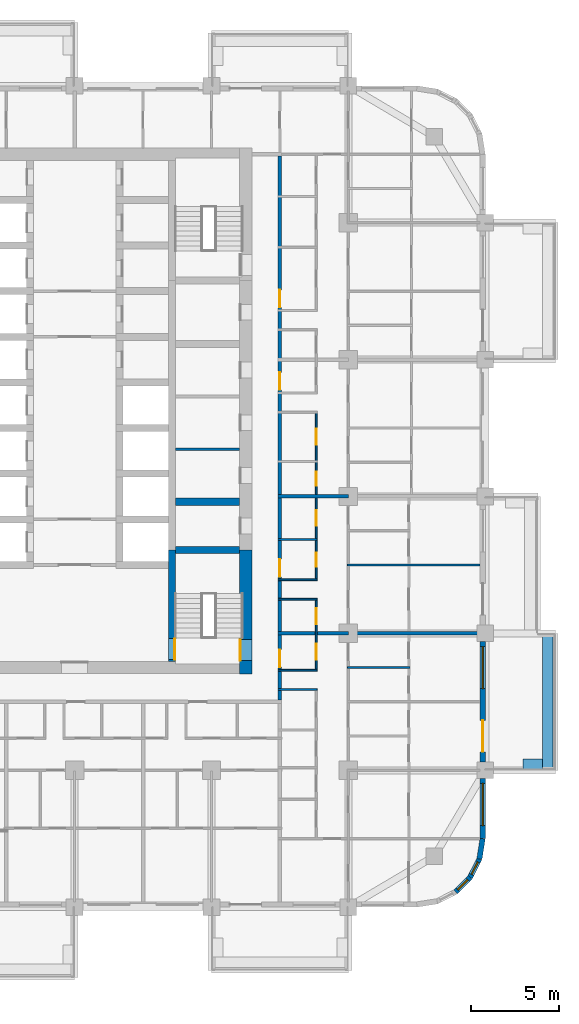
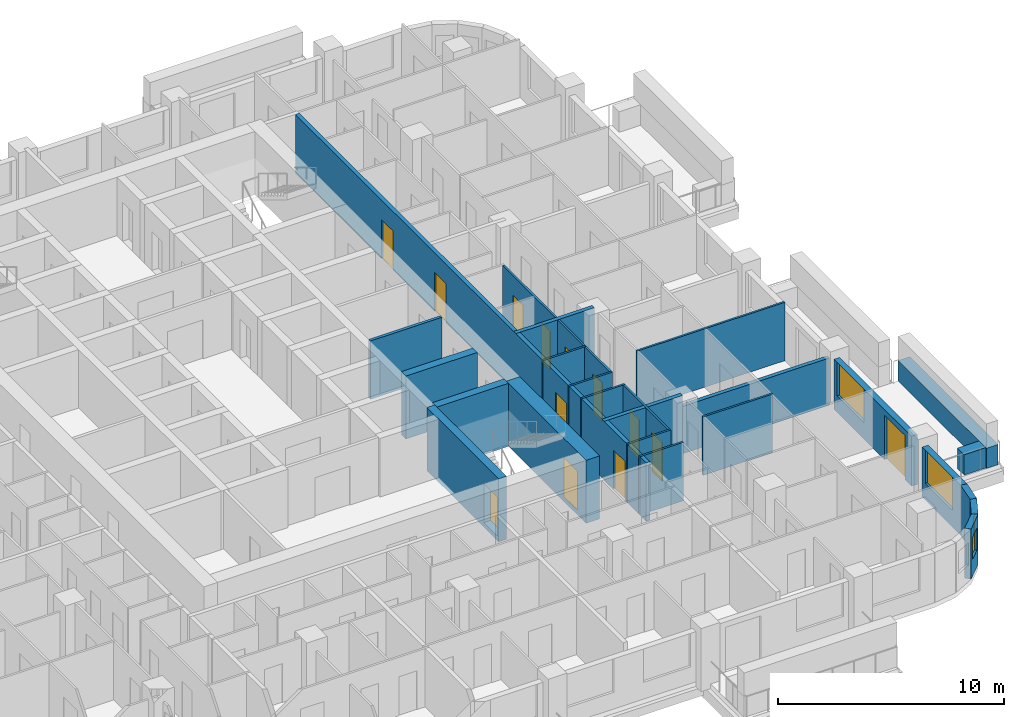
# One storey, part 8 of 18: 25 walls, 13 doors, 4 windows, 17 openings.
"""IFC4 building model written with IfcOpenShell, lengths in metres."""

from ifc_helpers import new_model, si_unit, direction, frame, frame_2d, origin, place, context, subcontext, project, spatial, rectangle, extrude, material, layer, layer_set, type_object, element, fill, save


model = new_model("IFC4")

# Units and contexts
model_context = context("Model", 3, precision=1e-05, world=origin(), true_north=direction((0.0, 1.0)))
body_context = subcontext(model_context, "Body", "Model", "MODEL_VIEW")
ifc_project = project(units=[si_unit("LENGTHUNIT", "METRE"), si_unit("AREAUNIT", "SQUARE_METRE"), si_unit("VOLUMEUNIT", "CUBIC_METRE"), si_unit("PLANEANGLEUNIT", "RADIAN"), si_unit("MASSUNIT", "GRAM", prefix="KILO")], contexts=[model_context])

# Site, building, storey
site_placement = place(None, origin())
site = spatial("IfcSite", under=ifc_project, at=site_placement, CompositionType="ELEMENT")
building_placement = place(site_placement, origin())
building = spatial("IfcBuilding", under=site, at=building_placement, Name="Ludao Terraces", CompositionType="ELEMENT")
storey_placement = place(building_placement, frame((0.0, 0.0, 61.39990234375)))
storey = spatial("IfcBuildingStorey", under=building, at=storey_placement, Name="L16", CompositionType="ELEMENT", Elevation=61.39990234375)

# Wall, opening, door
ifc_material_1 = material(Name="Concrete C70", Category="concrete")
ifc_layer_1 = layer(ifc_material_1, 0.699951171875)
ifc_layer_set_1 = layer_set([ifc_layer_1], Name="Core wall 700 C70")
wall_type_1 = type_object("IfcWallType", Name="Core wall 700 C70", PredefinedType="SOLIDWALL", material=ifc_layer_set_1)
wall_1_placement = place(storey_placement, frame((94.75, 54.89990234375, -0.25), z_axis=(0.0, 0.0, 1.0), x_axis=(0.0, 1.0, 0.0)))
wall_1 = element("IfcWall", 1, at=wall_1_placement, inside=storey, type_object=wall_type_1, Name="Core wall L16 outer-E-S3", PredefinedType="SOLIDWALL", context=body_context, shape_type="SweptSolid", body=[
    extrude(rectangle(XDim=7.050048828125, YDim=0.699951171875, at=frame_2d((3.52490234375, 0.0))), origin(), (0.0, 0.0, 1.0), 3.400146484375),
])
opening_1_placement = place(wall_1_placement, frame((0.75, 0.0, 0.25)))
opening_1 = element("IfcOpeningElement", 2, at=opening_1_placement, cuts=wall_1, Name="Opening R05-062", PredefinedType="OPENING", context=body_context, shape_type="SweptSolid", body=[
    extrude(rectangle(XDim=1.199951171875, YDim=2.10009765625, at=frame_2d((0.60009765625, 1.050048828125))), frame((0.0, 0.35986328125, 0.0), z_axis=(0.0, -1.0, 0.0), x_axis=(1.0, 0.0, 0.0)), (0.0, 0.0, 1.0), 0.719970703125),
])
ifc_material_2 = material(Name="Steel Q235", Category="steel")
door_type_1 = type_object("IfcDoorType", Name="INT Stair door 1200", OperationType="DOUBLE_DOOR_SINGLE_SWING", PredefinedType="DOOR", material=ifc_material_2)
door_1_placement = place(opening_1_placement, origin())
door_1 = element("IfcDoor", 3, at=door_1_placement, inside=storey, type_object=door_type_1, Name="DOOR 062", OperationType="DOUBLE_DOOR_SINGLE_SWING", OverallHeight=2.10009765625, OverallWidth=1.199951171875, PredefinedType="DOOR", context=body_context, shape_type="SweptSolid", body=[
    extrude(rectangle(XDim=1.199951171875, YDim=2.10009765625, at=frame_2d((0.60009765625, 1.050048828125))), frame((0.0, 0.3349609375, 0.0), z_axis=(0.0, -1.0, 0.0), x_axis=(1.0, 0.0, 0.0)), (0.0, 0.0, 1.0), 0.050048828125),
])
fill(opening_1, door_1)

# Walls
ifc_material_3 = material(Name="Concrete C40", Category="concrete")
ifc_layer_2 = layer(ifc_material_3, 0.60009765625)
ifc_layer_set_2 = layer_set([ifc_layer_2], Name="ENV Planter trough 600")
wall_type_2 = type_object("IfcWallType", Name="ENV Planter trough 600", PredefinedType="USERDEFINED", material=ifc_layer_set_2)
wall_2_placement = place(storey_placement, frame((111.949951171875, 49.39990234375, 0.0), z_axis=(0.0, 0.0, 1.0), x_axis=(0.0, 1.0, 0.0)))
element("IfcWall", 4, at=wall_2_placement, inside=storey, type_object=wall_type_2, Name="PL-L16-E1", ObjectType="PLANTER", PredefinedType="USERDEFINED", context=body_context, shape_type="SweptSolid", body=[
    extrude(rectangle(XDim=7.800048828125, YDim=0.60009765625, at=frame_2d((3.89990234375, 0.0))), origin(), (0.0, 0.0, 1.0), 1.10009765625),
])
wall_3_placement = place(storey_placement, frame((111.64990234375, 49.75, 0.0), z_axis=(0.0, 0.0, 1.0), x_axis=(-1.0, 0.0, 0.0)))
element("IfcWall", 5, at=wall_3_placement, inside=storey, type_object=wall_type_2, Name="PL-L16-E1-SA", ObjectType="PLANTER", PredefinedType="USERDEFINED", context=body_context, shape_type="SweptSolid", body=[
    extrude(rectangle(XDim=1.099853515625, YDim=0.60009765625, at=frame_2d((0.5498046875, 0.0))), origin(), (0.0, 0.0, 1.0), 1.10009765625),
])

# Wall, opening, window
ifc_material_4 = material(Name="Granite cladding", Category="masonry")
ifc_layer_3 = layer(ifc_material_4, 0.0400390625, Category="stone")
ifc_material_5 = material(Name="Mineral wool")
ifc_layer_4 = layer(ifc_material_5, 0.06005859375)
ifc_layer_5 = layer(ifc_material_3, 0.199951171875, Category="concrete")
ifc_layer_set_3 = layer_set([ifc_layer_3, ifc_layer_4, ifc_layer_5], Name="ENV Stone-clad wall 300")
wall_type_3 = type_object("IfcWallType", Name="ENV Stone-clad wall 300", PredefinedType="SOLIDWALL", material=ifc_layer_set_3)
wall_4_placement = place(storey_placement, frame((108.25, 45.5, 0.0), z_axis=(0.0, 0.0, 1.0), x_axis=(0.0, 1.0, 0.0)))
wall_4 = element("IfcWall", 6, at=wall_4_placement, inside=storey, type_object=wall_type_3, Name="EW-L16-E1", PredefinedType="SOLIDWALL", context=body_context, shape_type="SweptSolid", body=[
    extrude(rectangle(XDim=3.425048828125, YDim=0.300048828125, at=frame_2d((1.71240234375, 0.0))), origin(), (0.0, 0.0, 1.0), 2.7001953125),
])
opening_2_placement = place(wall_4_placement, frame((0.75, 0.0, 0.89990234375)))
opening_2 = element("IfcOpeningElement", 7, at=opening_2_placement, cuts=wall_4, Name="Opening W1", PredefinedType="OPENING", context=body_context, shape_type="SweptSolid", body=[
    extrude(rectangle(XDim=2.39990234375, YDim=1.800048828125, at=frame_2d((1.199951171875, 0.89990234375))), frame((0.0, 0.16015625, 0.0), z_axis=(0.0, -1.0, 0.0), x_axis=(1.0, 0.0, 0.0)), (0.0, 0.0, 1.0), 0.320068359375),
])
ifc_material_6 = material(Name="Clear glass in aluminium frame", Category="aluminium")
ifc_layer_6 = layer(ifc_material_6, 0.06005859375)
ifc_layer_set_4 = layer_set([ifc_layer_6], Name="ENV Window W1 2400x1800")
window_type_1 = type_object("IfcWindowType", Name="ENV Window W1 2400x1800", PartitioningType="DOUBLE_PANEL_VERTICAL", PredefinedType="WINDOW", material=ifc_layer_set_4)
window_1_placement = place(opening_2_placement, origin())
window_1 = element("IfcWindow", 8, at=window_1_placement, inside=storey, type_object=window_type_1, Name="W-L16-E1-1", OverallHeight=1.800048828125, OverallWidth=2.39990234375, PartitioningType="DOUBLE_PANEL_VERTICAL", PredefinedType="WINDOW", context=body_context, shape_type="SweptSolid", body=[
    extrude(rectangle(XDim=2.39990234375, YDim=1.800048828125, at=frame_2d((1.199951171875, 0.89990234375))), frame((0.0, 0.030029296875, 0.0), z_axis=(0.0, -1.0, 0.0), x_axis=(1.0, 0.0, 0.0)), (0.0, 0.0, 1.0), 0.06005859375),
])
fill(opening_2, window_1)

# Wall, openings, door, window
wall_5_placement = place(storey_placement, frame((108.25, 49.875, 0.0), z_axis=(0.0, 0.0, 1.0), x_axis=(0.0, 1.0, 0.0)))
wall_5 = element("IfcWall", 9, at=wall_5_placement, inside=storey, type_object=wall_type_3, Name="EW-L16-E2", PredefinedType="SOLIDWALL", context=body_context, shape_type="SweptSolid", body=[
    extrude(rectangle(XDim=6.85009765625, YDim=0.300048828125, at=frame_2d((3.425048828125, 0.0))), origin(), (0.0, 0.0, 1.0), 2.7001953125),
])
opening_3_placement = place(wall_5_placement, frame((0.574951171875, 0.0, 0.0)))
opening_3 = element("IfcOpeningElement", 10, at=opening_3_placement, cuts=wall_5, Name="Opening BD", PredefinedType="OPENING", context=body_context, shape_type="SweptSolid", body=[
    extrude(rectangle(XDim=1.800048828125, YDim=2.39990234375, at=frame_2d((0.89990234375, 1.199951171875))), frame((0.0, 0.16015625, 0.0), z_axis=(0.0, -1.0, 0.0), x_axis=(1.0, 0.0, 0.0)), (0.0, 0.0, 1.0), 0.320068359375),
])
opening_4_placement = place(wall_5_placement, frame((4.175048828125, 0.0, 0.89990234375)))
opening_4 = element("IfcOpeningElement", 11, at=opening_4_placement, cuts=wall_5, Name="Opening W1", PredefinedType="OPENING", context=body_context, shape_type="SweptSolid", body=[
    extrude(rectangle(XDim=2.39990234375, YDim=1.800048828125, at=frame_2d((1.199951171875, 0.89990234375))), frame((0.0, 0.16015625, 0.0), z_axis=(0.0, -1.0, 0.0), x_axis=(1.0, 0.0, 0.0)), (0.0, 0.0, 1.0), 0.320068359375),
])
ifc_material_7 = material(Name="Aluminium glazed door", Category="aluminium")
ifc_layer_7 = layer(ifc_material_7, 0.06005859375)
ifc_layer_set_5 = layer_set([ifc_layer_7], Name="ENV Balcony door BD 1800x2400")
door_type_2 = type_object("IfcDoorType", Name="ENV Balcony door BD 1800x2400", OperationType="DOUBLE_DOOR_SINGLE_SWING", PredefinedType="DOOR", material=ifc_layer_set_5)
door_2_placement = place(opening_3_placement, origin())
door_2 = element("IfcDoor", 12, at=door_2_placement, inside=storey, type_object=door_type_2, Name="BD-L16-E2-1", OperationType="DOUBLE_DOOR_SINGLE_SWING", OverallHeight=2.39990234375, OverallWidth=1.800048828125, PredefinedType="DOOR", context=body_context, shape_type="SweptSolid", body=[
    extrude(rectangle(XDim=1.800048828125, YDim=2.39990234375, at=frame_2d((0.89990234375, 1.199951171875))), frame((0.0, 0.02490234375, 0.0), z_axis=(0.0, -1.0, 0.0), x_axis=(1.0, 0.0, 0.0)), (0.0, 0.0, 1.0), 0.050048828125),
])
fill(opening_3, door_2)
window_2_placement = place(opening_4_placement, origin())
window_2 = element("IfcWindow", 13, at=window_2_placement, inside=storey, type_object=window_type_1, Name="W-L16-E2-2", OverallHeight=1.800048828125, OverallWidth=2.39990234375, PartitioningType="DOUBLE_PANEL_VERTICAL", PredefinedType="WINDOW", context=body_context, shape_type="SweptSolid", body=[
    extrude(rectangle(XDim=2.39990234375, YDim=1.800048828125, at=frame_2d((1.199951171875, 0.89990234375))), frame((0.0, 0.030029296875, 0.0), z_axis=(0.0, -1.0, 0.0), x_axis=(1.0, 0.0, 0.0)), (0.0, 0.0, 1.0), 0.06005859375),
])
fill(opening_4, window_2)

# Wall, opening, window
wall_6_placement = place(storey_placement, frame((106.7041015625, 42.46630859375, 0.0), z_axis=(0.0, 0.0, 1.0), x_axis=(0.707106781187, 0.707106781187, 0.0)))
wall_6 = element("IfcWall", 14, at=wall_6_placement, inside=storey, type_object=wall_type_3, Name="EW-L16-SE3", PredefinedType="SOLIDWALL", context=body_context, shape_type="SweptSolid", body=[
    extrude(rectangle(XDim=1.173095703125, YDim=0.300048828125, at=frame_2d((0.58642578125, 0.0))), origin(), (0.0, 0.0, 1.0), 2.7001953125),
])
opening_5_placement = place(wall_6_placement, frame((0.1865234375, 0.0, 0.89990234375)))
opening_5 = element("IfcOpeningElement", 15, at=opening_5_placement, cuts=wall_6, Name="Opening W3", PredefinedType="OPENING", context=body_context, shape_type="SweptSolid", body=[
    extrude(rectangle(XDim=0.800048828125, YDim=1.199951171875, at=frame_2d((0.39990234375, 0.60009765625))), frame((0.0, 0.16015625, 0.0), z_axis=(0.0, -1.0, 0.0), x_axis=(1.0, 0.0, 0.0)), (0.0, 0.0, 1.0), 0.320068359375),
])
ifc_layer_8 = layer(ifc_material_6, 0.06005859375)
ifc_layer_set_6 = layer_set([ifc_layer_8], Name="ENV Window W3 800x1200")
window_type_2 = type_object("IfcWindowType", Name="ENV Window W3 800x1200", PartitioningType="SINGLE_PANEL", PredefinedType="WINDOW", material=ifc_layer_set_6)
window_3_placement = place(opening_5_placement, origin())
window_3 = element("IfcWindow", 16, at=window_3_placement, inside=storey, type_object=window_type_2, Name="W-L16-SE3", OverallHeight=1.199951171875, OverallWidth=0.800048828125, PartitioningType="SINGLE_PANEL", PredefinedType="WINDOW", context=body_context, shape_type="SweptSolid", body=[
    extrude(rectangle(XDim=0.800048828125, YDim=1.199951171875, at=frame_2d((0.39990234375, 0.60009765625))), frame((0.0, 0.030029296875, 0.0), z_axis=(0.0, -1.0, 0.0), x_axis=(1.0, 0.0, 0.0)), (0.0, 0.0, 1.0), 0.06005859375),
])
fill(opening_5, window_3)

wall_7_placement = place(storey_placement, frame((107.53369140625, 43.2958984375, 0.0), z_axis=(0.0, 0.0, 1.0), x_axis=(0.454025524128, 0.890988677504, 0.0)))
wall_7 = element("IfcWall", 17, at=wall_7_placement, inside=storey, type_object=wall_type_3, Name="EW-L16-SE4", PredefinedType="SOLIDWALL", context=body_context, shape_type="SweptSolid", body=[
    extrude(rectangle(XDim=1.17333984375, YDim=0.300048828125, at=frame_2d((0.586669921875, 0.0))), origin(), (0.0, 0.0, 1.0), 2.7001953125),
])
opening_6_placement = place(wall_7_placement, frame((0.1865234375, 0.0, 0.89990234375)))
opening_6 = element("IfcOpeningElement", 18, at=opening_6_placement, cuts=wall_7, Name="Opening W3", PredefinedType="OPENING", context=body_context, shape_type="SweptSolid", body=[
    extrude(rectangle(XDim=0.800048828125, YDim=1.199951171875, at=frame_2d((0.39990234375, 0.60009765625))), frame((0.0, 0.16015625, 0.0), z_axis=(0.0, -1.0, 0.0), x_axis=(1.0, 0.0, 0.0)), (0.0, 0.0, 1.0), 0.320068359375),
])
window_4_placement = place(opening_6_placement, origin())
window_4 = element("IfcWindow", 19, at=window_4_placement, inside=storey, type_object=window_type_2, Name="W-L16-SE4", OverallHeight=1.199951171875, OverallWidth=0.800048828125, PartitioningType="SINGLE_PANEL", PredefinedType="WINDOW", context=body_context, shape_type="SweptSolid", body=[
    extrude(rectangle(XDim=0.800048828125, YDim=1.199951171875, at=frame_2d((0.39990234375, 0.60009765625))), frame((0.0, 0.030029296875, 0.0), z_axis=(0.0, -1.0, 0.0), x_axis=(1.0, 0.0, 0.0)), (0.0, 0.0, 1.0), 0.06005859375),
])
fill(opening_6, window_4)

# Walls
wall_8_placement = place(storey_placement, frame((108.06640625, 44.34130859375, 0.0), z_axis=(0.0, 0.0, 1.0), x_axis=(0.156496880861, 0.987678452879, 0.0)))
element("IfcWall", 20, at=wall_8_placement, inside=storey, type_object=wall_type_3, Name="EW-L16-SE5", PredefinedType="SOLIDWALL", context=body_context, shape_type="SweptSolid", body=[
    extrude(rectangle(XDim=1.173095703125, YDim=0.300048828125, at=frame_2d((0.58642578125, 0.0))), origin(), (0.0, 0.0, 1.0), 2.7001953125),
])
ifc_material_8 = material(Name="Fire-rated gypsum plasterboard", Category="gypsum")
ifc_layer_9 = layer(ifc_material_8, 0.012451171875, Category="gypsum")
ifc_layer_10 = layer(ifc_material_5, 0.10009765625, Name="insulation")
ifc_layer_11 = layer(ifc_material_2, 0.02490234375, Name="stud")
ifc_layer_12 = layer(ifc_material_8, 0.012451171875, Category="gypsum")
ifc_layer_set_7 = layer_set([ifc_layer_9, ifc_layer_10, ifc_layer_11, ifc_layer_12], Name="INT Core partition 150")
wall_type_4 = type_object("IfcWallType", Name="INT Core partition 150", PredefinedType="PARTITIONING", material=ifc_layer_set_7)
wall_9_placement = place(storey_placement, frame((90.75, 67.699951171875, 0.0), z_axis=(0.0, 0.0, 1.0), x_axis=(1.0, 0.0, 0.0)))
element("IfcWall", 21, at=wall_9_placement, inside=storey, type_object=wall_type_4, Name="PW-L16-PW048", PredefinedType="PARTITIONING", context=body_context, shape_type="SweptSolid", body=[
    extrude(rectangle(XDim=3.650146484375, YDim=0.14990234375, at=frame_2d((1.8251953125, 0.0))), origin(), (0.0, 0.0, 1.0), 3.150146484375),
])

# Wall, openings, doors
ifc_material_9 = material(Name="Autoclaved aerated concrete block B06 A3.5", Category="concrete")
ifc_layer_13 = layer(ifc_material_9, 0.199951171875)
ifc_layer_set_8 = layer_set([ifc_layer_13], Name="INT Entrance wall 200")
wall_type_5 = type_object("IfcWallType", Name="INT Entrance wall 200", PredefinedType="PARTITIONING", material=ifc_layer_set_8)
wall_10_placement = place(storey_placement, frame((96.699951171875, 53.400146484375, 0.0), z_axis=(0.0, 0.0, 1.0), x_axis=(0.0, 1.0, 0.0)))
wall_10 = element("IfcWall", 22, at=wall_10_placement, inside=storey, type_object=wall_type_5, Name="PW-L16-PW118", PredefinedType="PARTITIONING", context=body_context, shape_type="SweptSolid", body=[
    extrude(rectangle(XDim=31.0, YDim=0.199951171875, at=frame_2d((15.5, 0.0))), origin(), (0.0, 0.0, 1.0), 3.150146484375),
])
opening_7_placement = place(wall_10_placement, frame((1.875, 0.0, 0.0)))
opening_7 = element("IfcOpeningElement", 23, at=opening_7_placement, cuts=wall_10, Name="Opening R05-055", PredefinedType="OPENING", context=body_context, shape_type="SweptSolid", body=[
    extrude(rectangle(XDim=1.0, YDim=2.10009765625, at=frame_2d((0.5, 1.050048828125))), frame((0.0, 0.10986328125, 0.0), z_axis=(0.0, -1.0, 0.0), x_axis=(1.0, 0.0, 0.0)), (0.0, 0.0, 1.0), 0.219970703125),
])
opening_8_placement = place(wall_10_placement, frame((7.02490234375, 0.0, 0.0)))
opening_8 = element("IfcOpeningElement", 24, at=opening_8_placement, cuts=wall_10, Name="Opening R05-072", PredefinedType="OPENING", context=body_context, shape_type="SweptSolid", body=[
    extrude(rectangle(XDim=1.0, YDim=2.10009765625, at=frame_2d((0.5, 1.050048828125))), frame((0.0, 0.10986328125, 0.0), z_axis=(0.0, -1.0, 0.0), x_axis=(1.0, 0.0, 0.0)), (0.0, 0.0, 1.0), 0.219970703125),
])
opening_9_placement = place(wall_10_placement, frame((17.675048828125, 0.0, 0.0)))
opening_9 = element("IfcOpeningElement", 25, at=opening_9_placement, cuts=wall_10, Name="Opening R05-108", PredefinedType="OPENING", context=body_context, shape_type="SweptSolid", body=[
    extrude(rectangle(XDim=1.0, YDim=2.10009765625, at=frame_2d((0.5, 1.050048828125))), frame((0.0, 0.10986328125, 0.0), z_axis=(0.0, -1.0, 0.0), x_axis=(1.0, 0.0, 0.0)), (0.0, 0.0, 1.0), 0.219970703125),
])
opening_10_placement = place(wall_10_placement, frame((22.375, 0.0, 0.0)))
opening_10 = element("IfcOpeningElement", 26, at=opening_10_placement, cuts=wall_10, Name="Opening R05-129", PredefinedType="OPENING", context=body_context, shape_type="SweptSolid", body=[
    extrude(rectangle(XDim=1.0, YDim=2.10009765625, at=frame_2d((0.5, 1.050048828125))), frame((0.0, 0.10986328125, 0.0), z_axis=(0.0, -1.0, 0.0), x_axis=(1.0, 0.0, 0.0)), (0.0, 0.0, 1.0), 0.219970703125),
])
door_type_3 = type_object("IfcDoorType", Name="INT Flat entrance door 1000", OperationType="SINGLE_SWING_LEFT", PredefinedType="DOOR", material=ifc_material_2)
door_3_placement = place(opening_7_placement, origin())
door_3 = element("IfcDoor", 27, at=door_3_placement, inside=storey, type_object=door_type_3, Name="DOOR 055", OperationType="SINGLE_SWING_LEFT", OverallHeight=2.10009765625, OverallWidth=1.0, PredefinedType="DOOR", context=body_context, shape_type="SweptSolid", body=[
    extrude(rectangle(XDim=1.0, YDim=2.10009765625, at=frame_2d((0.5, 1.050048828125))), frame((0.0, 0.02490234375, 0.0), z_axis=(0.0, -1.0, 0.0), x_axis=(1.0, 0.0, 0.0)), (0.0, 0.0, 1.0), 0.050048828125),
])
fill(opening_7, door_3)
door_4_placement = place(opening_8_placement, origin())
door_4 = element("IfcDoor", 28, at=door_4_placement, inside=storey, type_object=door_type_3, Name="DOOR 072", OperationType="SINGLE_SWING_LEFT", OverallHeight=2.10009765625, OverallWidth=1.0, PredefinedType="DOOR", context=body_context, shape_type="SweptSolid", body=[
    extrude(rectangle(XDim=1.0, YDim=2.10009765625, at=frame_2d((0.5, 1.050048828125))), frame((0.0, 0.02490234375, 0.0), z_axis=(0.0, -1.0, 0.0), x_axis=(1.0, 0.0, 0.0)), (0.0, 0.0, 1.0), 0.050048828125),
])
fill(opening_8, door_4)
door_5_placement = place(opening_9_placement, origin())
door_5 = element("IfcDoor", 29, at=door_5_placement, inside=storey, type_object=door_type_3, Name="DOOR 108", OperationType="SINGLE_SWING_LEFT", OverallHeight=2.10009765625, OverallWidth=1.0, PredefinedType="DOOR", context=body_context, shape_type="SweptSolid", body=[
    extrude(rectangle(XDim=1.0, YDim=2.10009765625, at=frame_2d((0.5, 1.050048828125))), frame((0.0, 0.02490234375, 0.0), z_axis=(0.0, -1.0, 0.0), x_axis=(1.0, 0.0, 0.0)), (0.0, 0.0, 1.0), 0.050048828125),
])
fill(opening_9, door_5)
door_6_placement = place(opening_10_placement, origin())
door_6 = element("IfcDoor", 30, at=door_6_placement, inside=storey, type_object=door_type_3, Name="DOOR 129", OperationType="SINGLE_SWING_LEFT", OverallHeight=2.10009765625, OverallWidth=1.0, PredefinedType="DOOR", context=body_context, shape_type="SweptSolid", body=[
    extrude(rectangle(XDim=1.0, YDim=2.10009765625, at=frame_2d((0.5, 1.050048828125))), frame((0.0, 0.02490234375, 0.0), z_axis=(0.0, -1.0, 0.0), x_axis=(1.0, 0.0, 0.0)), (0.0, 0.0, 1.0), 0.050048828125),
])
fill(opening_10, door_6)

# Walls
ifc_material_10 = material(Name="Gypsum plasterboard", Category="gypsum")
ifc_layer_14 = layer(ifc_material_10, 0.012451171875, Category="gypsum")
ifc_layer_15 = layer(ifc_material_5, 0.06005859375, Name="insulation")
ifc_layer_16 = layer(ifc_material_2, 0.014892578125, Name="stud")
ifc_layer_17 = layer(ifc_material_10, 0.012451171875, Category="gypsum")
ifc_layer_set_9 = layer_set([ifc_layer_14, ifc_layer_15, ifc_layer_16, ifc_layer_17], Name="INT Partition 100")
wall_type_6 = type_object("IfcWallType", Name="INT Partition 100", PredefinedType="PARTITIONING", material=ifc_layer_set_9)
for number, where, z_axis, x_axis, name in (
    (31, (96.60009765625, 54.0, 0.0), (0.0, 0.0, 1.0), (1.0, 0.0, 0.0), "PW-L16-PW021"),
    (32, (96.60009765625, 55.10009765625, 0.0), (0.0, 0.0, 1.0), (1.0, 0.0, 0.0), "PW-L16-PW023"),
):
    element("IfcWall", number, at=place(storey_placement, frame(where, z_axis=z_axis, x_axis=x_axis)), inside=storey, type_object=wall_type_6, Name=name, PredefinedType="PARTITIONING", context=body_context, shape_type="SweptSolid", body=[
        extrude(rectangle(XDim=2.219970703125, YDim=0.10009765625, at=frame_2d((1.10986328125, 0.0))), origin(), (0.0, 0.0, 1.0), 3.150146484375),
    ])
wall_11_placement = place(storey_placement, frame((100.550048828125, 55.25, 0.0), z_axis=(0.0, 0.0, 1.0), x_axis=(1.0, 0.0, 0.0)))
element("IfcWall", 33, at=wall_11_placement, inside=storey, type_object=wall_type_6, Name="PW-L16-PW025", PredefinedType="PARTITIONING", context=body_context, shape_type="SweptSolid", body=[
    extrude(rectangle(XDim=3.550048828125, YDim=0.10009765625, at=frame_2d((1.77490234375, 0.0))), origin(), (0.0, 0.0, 1.0), 3.150146484375),
])
for number, where, z_axis, x_axis, name in (
    (34, (96.60009765625, 59.14990234375, 0.0), (0.0, 0.0, 1.0), (1.0, 0.0, 0.0), "PW-L16-PW031"),
    (35, (96.60009765625, 60.25, 0.0), (0.0, 0.0, 1.0), (1.0, 0.0, 0.0), "PW-L16-PW032"),
):
    element("IfcWall", number, at=place(storey_placement, frame(where, z_axis=z_axis, x_axis=x_axis)), inside=storey, type_object=wall_type_6, Name=name, PredefinedType="PARTITIONING", context=body_context, shape_type="SweptSolid", body=[
        extrude(rectangle(XDim=2.219970703125, YDim=0.10009765625, at=frame_2d((1.10986328125, 0.0))), origin(), (0.0, 0.0, 1.0), 3.150146484375),
    ])
wall_12_placement = place(storey_placement, frame((100.550048828125, 61.10009765625, 0.0), z_axis=(0.0, 0.0, 1.0), x_axis=(1.0, 0.0, 0.0)))
element("IfcWall", 36, at=wall_12_placement, inside=storey, type_object=wall_type_6, Name="PW-L16-PW035", PredefinedType="PARTITIONING", context=body_context, shape_type="SweptSolid", body=[
    extrude(rectangle(XDim=7.550048828125, YDim=0.10009765625, at=frame_2d((3.77490234375, 0.0))), origin(), (0.0, 0.0, 1.0), 3.150146484375),
])
wall_13_placement = place(storey_placement, frame((96.60009765625, 62.550048828125, 0.0), z_axis=(0.0, 0.0, 1.0), x_axis=(1.0, 0.0, 0.0)))
element("IfcWall", 37, at=wall_13_placement, inside=storey, type_object=wall_type_6, Name="PW-L16-PW036", PredefinedType="PARTITIONING", context=body_context, shape_type="SweptSolid", body=[
    extrude(rectangle(XDim=2.219970703125, YDim=0.10009765625, at=frame_2d((1.10986328125, 0.0))), origin(), (0.0, 0.0, 1.0), 3.150146484375),
])

# Wall, openings, doors
wall_14_placement = place(storey_placement, frame((98.77001953125, 55.150146484375, 0.0), z_axis=(0.0, 0.0, 1.0), x_axis=(0.0, 1.0, 0.0)))
wall_14 = element("IfcWall", 38, at=wall_14_placement, inside=storey, type_object=wall_type_6, Name="PW-L16-PW121", PredefinedType="PARTITIONING", context=body_context, shape_type="SweptSolid", body=[
    extrude(rectangle(XDim=3.949951171875, YDim=0.10009765625, at=frame_2d((1.97509765625, 0.0))), origin(), (0.0, 0.0, 1.0), 3.150146484375),
])
opening_11_placement = place(wall_14_placement, frame((0.550048828125, 0.0, 0.0)))
opening_11 = element("IfcOpeningElement", 39, at=opening_11_placement, cuts=wall_14, Name="Opening R05-059", PredefinedType="OPENING", context=body_context, shape_type="SweptSolid", body=[
    extrude(rectangle(XDim=0.89990234375, YDim=2.10009765625, at=frame_2d((0.449951171875, 1.050048828125))), frame((0.0, 0.06005859375, 0.0), z_axis=(0.0, -1.0, 0.0), x_axis=(1.0, 0.0, 0.0)), (0.0, 0.0, 1.0), 0.1201171875),
])
opening_12_placement = place(wall_14_placement, frame((2.574951171875, 0.0, 0.0)))
opening_12 = element("IfcOpeningElement", 40, at=opening_12_placement, cuts=wall_14, Name="Opening R05-066", PredefinedType="OPENING", context=body_context, shape_type="SweptSolid", body=[
    extrude(rectangle(XDim=0.89990234375, YDim=2.10009765625, at=frame_2d((0.449951171875, 1.050048828125))), frame((0.0, 0.06005859375, 0.0), z_axis=(0.0, -1.0, 0.0), x_axis=(1.0, 0.0, 0.0)), (0.0, 0.0, 1.0), 0.1201171875),
])
ifc_material_11 = material(Name="Timber door leaf", Category="wood")
door_type_4 = type_object("IfcDoorType", Name="INT Room door 900", OperationType="SINGLE_SWING_LEFT", PredefinedType="DOOR", material=ifc_material_11)
door_7_placement = place(opening_11_placement, origin())
door_7 = element("IfcDoor", 41, at=door_7_placement, inside=storey, type_object=door_type_4, Name="DOOR 059", OperationType="SINGLE_SWING_LEFT", OverallHeight=2.10009765625, OverallWidth=0.89990234375, PredefinedType="DOOR", context=body_context, shape_type="SweptSolid", body=[
    extrude(rectangle(XDim=0.89990234375, YDim=2.10009765625, at=frame_2d((0.449951171875, 1.050048828125))), frame((0.0, 0.02490234375, 0.0), z_axis=(0.0, -1.0, 0.0), x_axis=(1.0, 0.0, 0.0)), (0.0, 0.0, 1.0), 0.050048828125),
])
fill(opening_11, door_7)
door_8_placement = place(opening_12_placement, origin())
door_8 = element("IfcDoor", 42, at=door_8_placement, inside=storey, type_object=door_type_4, Name="DOOR 066", OperationType="SINGLE_SWING_LEFT", OverallHeight=2.10009765625, OverallWidth=0.89990234375, PredefinedType="DOOR", context=body_context, shape_type="SweptSolid", body=[
    extrude(rectangle(XDim=0.89990234375, YDim=2.10009765625, at=frame_2d((0.449951171875, 1.050048828125))), frame((0.0, 0.02490234375, 0.0), z_axis=(0.0, -1.0, 0.0), x_axis=(1.0, 0.0, 0.0)), (0.0, 0.0, 1.0), 0.050048828125),
])
fill(opening_12, door_8)

wall_15_placement = place(storey_placement, frame((98.77001953125, 60.300048828125, 0.0), z_axis=(0.0, 0.0, 1.0), x_axis=(0.0, 1.0, 0.0)))
wall_15 = element("IfcWall", 43, at=wall_15_placement, inside=storey, type_object=wall_type_6, Name="PW-L16-PW122", PredefinedType="PARTITIONING", context=body_context, shape_type="SweptSolid", body=[
    extrude(rectangle(XDim=9.449951171875, YDim=0.10009765625, at=frame_2d((4.72509765625, 0.0))), origin(), (0.0, 0.0, 1.0), 3.150146484375),
])
opening_13_placement = place(wall_15_placement, frame((0.699951171875, 0.0, 0.0)))
opening_13 = element("IfcOpeningElement", 44, at=opening_13_placement, cuts=wall_15, Name="Opening R05-074", PredefinedType="OPENING", context=body_context, shape_type="SweptSolid", body=[
    extrude(rectangle(XDim=0.800048828125, YDim=2.10009765625, at=frame_2d((0.39990234375, 1.050048828125))), frame((0.0, 0.06005859375, 0.0), z_axis=(0.0, -1.0, 0.0), x_axis=(1.0, 0.0, 0.0)), (0.0, 0.0, 1.0), 0.1201171875),
])
opening_14_placement = place(wall_15_placement, frame((3.02490234375, 0.0, 0.0)))
opening_14 = element("IfcOpeningElement", 45, at=opening_14_placement, cuts=wall_15, Name="Opening R05-082", PredefinedType="OPENING", context=body_context, shape_type="SweptSolid", body=[
    extrude(rectangle(XDim=0.89990234375, YDim=2.10009765625, at=frame_2d((0.449951171875, 1.050048828125))), frame((0.0, 0.06005859375, 0.0), z_axis=(0.0, -1.0, 0.0), x_axis=(1.0, 0.0, 0.0)), (0.0, 0.0, 1.0), 0.1201171875),
])
opening_15_placement = place(wall_15_placement, frame((5.300048828125, 0.0, 0.0)))
opening_15 = element("IfcOpeningElement", 46, at=opening_15_placement, cuts=wall_15, Name="Opening R05-091", PredefinedType="OPENING", context=body_context, shape_type="SweptSolid", body=[
    extrude(rectangle(XDim=0.800048828125, YDim=2.10009765625, at=frame_2d((0.39990234375, 1.050048828125))), frame((0.0, 0.06005859375, 0.0), z_axis=(0.0, -1.0, 0.0), x_axis=(1.0, 0.0, 0.0)), (0.0, 0.0, 1.0), 0.1201171875),
])
opening_16_placement = place(wall_15_placement, frame((7.64990234375, 0.0, 0.0)))
opening_16 = element("IfcOpeningElement", 47, at=opening_16_placement, cuts=wall_15, Name="Opening R05-100", PredefinedType="OPENING", context=body_context, shape_type="SweptSolid", body=[
    extrude(rectangle(XDim=0.89990234375, YDim=2.10009765625, at=frame_2d((0.449951171875, 1.050048828125))), frame((0.0, 0.06005859375, 0.0), z_axis=(0.0, -1.0, 0.0), x_axis=(1.0, 0.0, 0.0)), (0.0, 0.0, 1.0), 0.1201171875),
])
door_type_5 = type_object("IfcDoorType", Name="INT Bathroom door 900", OperationType="SINGLE_SWING_LEFT", PredefinedType="DOOR", material=ifc_material_11)
door_9_placement = place(opening_14_placement, origin())
door_9 = element("IfcDoor", 48, at=door_9_placement, inside=storey, type_object=door_type_5, Name="DOOR 082", OperationType="SINGLE_SWING_RIGHT", OverallHeight=2.10009765625, OverallWidth=0.89990234375, PredefinedType="DOOR", context=body_context, shape_type="SweptSolid", body=[
    extrude(rectangle(XDim=0.89990234375, YDim=2.10009765625, at=frame_2d((0.449951171875, 1.050048828125))), frame((0.0, 0.02490234375, 0.0), z_axis=(0.0, -1.0, 0.0), x_axis=(1.0, 0.0, 0.0)), (0.0, 0.0, 1.0), 0.050048828125),
])
fill(opening_14, door_9)
door_10_placement = place(opening_16_placement, origin())
door_10 = element("IfcDoor", 49, at=door_10_placement, inside=storey, type_object=door_type_4, Name="DOOR 100", OperationType="SINGLE_SWING_RIGHT", OverallHeight=2.10009765625, OverallWidth=0.89990234375, PredefinedType="DOOR", context=body_context, shape_type="SweptSolid", body=[
    extrude(rectangle(XDim=0.89990234375, YDim=2.10009765625, at=frame_2d((0.449951171875, 1.050048828125))), frame((0.0, 0.02490234375, 0.0), z_axis=(0.0, -1.0, 0.0), x_axis=(1.0, 0.0, 0.0)), (0.0, 0.0, 1.0), 0.050048828125),
])
fill(opening_16, door_10)
door_type_6 = type_object("IfcDoorType", Name="INT Store door 800", OperationType="SINGLE_SWING_LEFT", PredefinedType="DOOR", material=ifc_material_11)
door_11_placement = place(opening_13_placement, origin())
door_11 = element("IfcDoor", 50, at=door_11_placement, inside=storey, type_object=door_type_6, Name="DOOR 074", OperationType="SINGLE_SWING_LEFT", OverallHeight=2.10009765625, OverallWidth=0.800048828125, PredefinedType="DOOR", context=body_context, shape_type="SweptSolid", body=[
    extrude(rectangle(XDim=0.800048828125, YDim=2.10009765625, at=frame_2d((0.39990234375, 1.050048828125))), frame((0.0, 0.02490234375, 0.0), z_axis=(0.0, -1.0, 0.0), x_axis=(1.0, 0.0, 0.0)), (0.0, 0.0, 1.0), 0.050048828125),
])
fill(opening_13, door_11)
door_12_placement = place(opening_15_placement, origin())
door_12 = element("IfcDoor", 51, at=door_12_placement, inside=storey, type_object=door_type_6, Name="DOOR 091", OperationType="SINGLE_SWING_LEFT", OverallHeight=2.10009765625, OverallWidth=0.800048828125, PredefinedType="DOOR", context=body_context, shape_type="SweptSolid", body=[
    extrude(rectangle(XDim=0.800048828125, YDim=2.10009765625, at=frame_2d((0.39990234375, 1.050048828125))), frame((0.0, 0.02490234375, 0.0), z_axis=(0.0, -1.0, 0.0), x_axis=(1.0, 0.0, 0.0)), (0.0, 0.0, 1.0), 0.050048828125),
])
fill(opening_15, door_12)

# Walls
ifc_layer_18 = layer(ifc_material_9, 0.199951171875)
ifc_layer_set_10 = layer_set([ifc_layer_18], Name="INT Party wall 200")
wall_type_7 = type_object("IfcWallType", Name="INT Party wall 200", PredefinedType="PARTITIONING", material=ifc_layer_set_10)
wall_16_placement = place(storey_placement, frame((96.60009765625, 57.199951171875, 0.0), z_axis=(0.0, 0.0, 1.0), x_axis=(1.0, 0.0, 0.0)))
element("IfcWall", 52, at=wall_16_placement, inside=storey, type_object=wall_type_7, Name="PW-L16-PW028", PredefinedType="PARTITIONING", context=body_context, shape_type="SweptSolid", body=[
    extrude(rectangle(XDim=4.0, YDim=0.199951171875, at=frame_2d((2.0, 0.0))), origin(), (0.0, 0.0, 1.0), 3.150146484375),
])
wall_17_placement = place(storey_placement, frame((100.60009765625, 57.199951171875, 0.0), z_axis=(0.0, 0.0, 1.0), x_axis=(1.0, 0.0, 0.0)))
element("IfcWall", 53, at=wall_17_placement, inside=storey, type_object=wall_type_7, Name="PW-L16-PW028-2", PredefinedType="PARTITIONING", context=body_context, shape_type="SweptSolid", body=[
    extrude(rectangle(XDim=7.5, YDim=0.199951171875, at=frame_2d((3.75, 0.0))), origin(), (0.0, 0.0, 1.0), 2.550048828125),
])
wall_18_placement = place(storey_placement, frame((96.60009765625, 65.0, 0.0), z_axis=(0.0, 0.0, 1.0), x_axis=(1.0, 0.0, 0.0)))
element("IfcWall", 54, at=wall_18_placement, inside=storey, type_object=wall_type_7, Name="PW-L16-PW043", PredefinedType="PARTITIONING", context=body_context, shape_type="SweptSolid", body=[
    extrude(rectangle(XDim=4.0, YDim=0.199951171875, at=frame_2d((2.0, 0.0))), origin(), (0.0, 0.0, 1.0), 3.150146484375),
])

# Wall, opening, door
ifc_material_12 = material(Name="Concrete C60", Category="concrete")
ifc_layer_19 = layer(ifc_material_12, 0.39990234375)
ifc_layer_set_11 = layer_set([ifc_layer_19], Name="Shaft wall 400 C60")
wall_type_8 = type_object("IfcWallType", Name="Shaft wall 400 C60", PredefinedType="SOLIDWALL", material=ifc_layer_set_11)
wall_19_placement = place(storey_placement, frame((90.550048828125, 55.60009765625, -0.25), z_axis=(0.0, 0.0, 1.0), x_axis=(0.0, 1.0, 0.0)))
wall_19 = element("IfcWall", 55, at=wall_19_placement, inside=storey, type_object=wall_type_8, Name="Core wall L16 back-E-S3", PredefinedType="SOLIDWALL", context=body_context, shape_type="SweptSolid", body=[
    extrude(rectangle(XDim=6.349853515625, YDim=0.39990234375, at=frame_2d((3.1748046875, 0.0))), origin(), (0.0, 0.0, 1.0), 3.400146484375),
])
opening_17_placement = place(wall_19_placement, frame((0.10009765625, 0.0, 0.25)))
opening_17 = element("IfcOpeningElement", 56, at=opening_17_placement, cuts=wall_19, Name="Opening R05-061", PredefinedType="OPENING", context=body_context, shape_type="SweptSolid", body=[
    extrude(rectangle(XDim=1.199951171875, YDim=2.10009765625, at=frame_2d((0.60009765625, 1.050048828125))), frame((0.0, 0.2099609375, 0.0), z_axis=(0.0, -1.0, 0.0), x_axis=(1.0, 0.0, 0.0)), (0.0, 0.0, 1.0), 0.419921875),
])
door_13_placement = place(opening_17_placement, origin())
door_13 = element("IfcDoor", 57, at=door_13_placement, inside=storey, type_object=door_type_1, Name="DOOR 061", OperationType="DOUBLE_DOOR_SINGLE_SWING", OverallHeight=2.10009765625, OverallWidth=1.199951171875, PredefinedType="DOOR", context=body_context, shape_type="SweptSolid", body=[
    extrude(rectangle(XDim=1.199951171875, YDim=2.10009765625, at=frame_2d((0.60009765625, 1.050048828125))), frame((0.0, -0.134765625, 0.0), z_axis=(0.0, -1.0, 0.0), x_axis=(1.0, 0.0, 0.0)), (0.0, 0.0, 1.0), 0.050048828125),
])
fill(opening_17, door_13)

# Walls
for number, where, z_axis, x_axis, name in (
    (58, (90.75, 61.949951171875, -0.25), (0.0, 0.0, 1.0), (1.0, 0.0, 0.0), "Core wall L16 hall-E"),
    (59, (90.75, 64.699951171875, -0.25), (0.0, 0.0, 1.0), (1.0, 0.0, 0.0), "Core wall L16 riser-a-E"),
):
    element("IfcWall", number, at=place(storey_placement, frame(where, z_axis=z_axis, x_axis=x_axis)), inside=storey, type_object=wall_type_8, Name=name, PredefinedType="SOLIDWALL", context=body_context, shape_type="SweptSolid", body=[
        extrude(rectangle(XDim=3.64990234375, YDim=0.39990234375, at=frame_2d((1.824951171875, 0.0))), origin(), (0.0, 0.0, 1.0), 3.400146484375),
    ])

save(model, "model.ifc")
